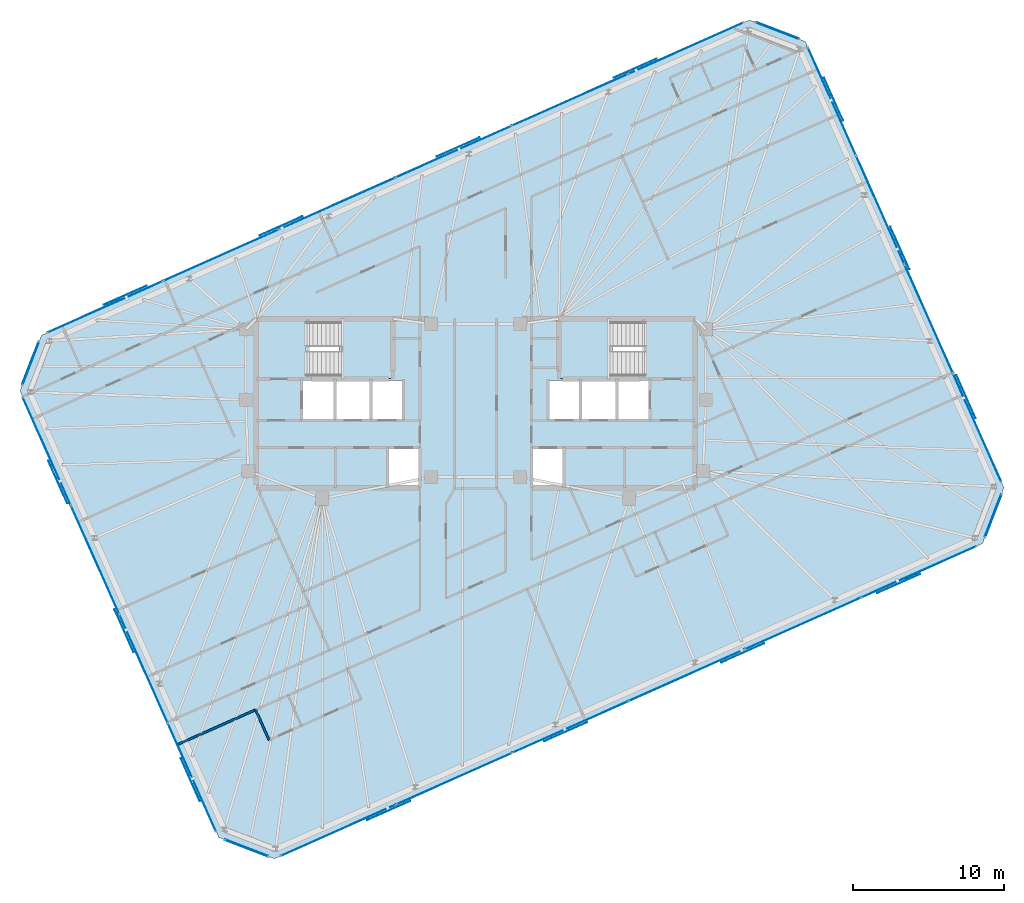
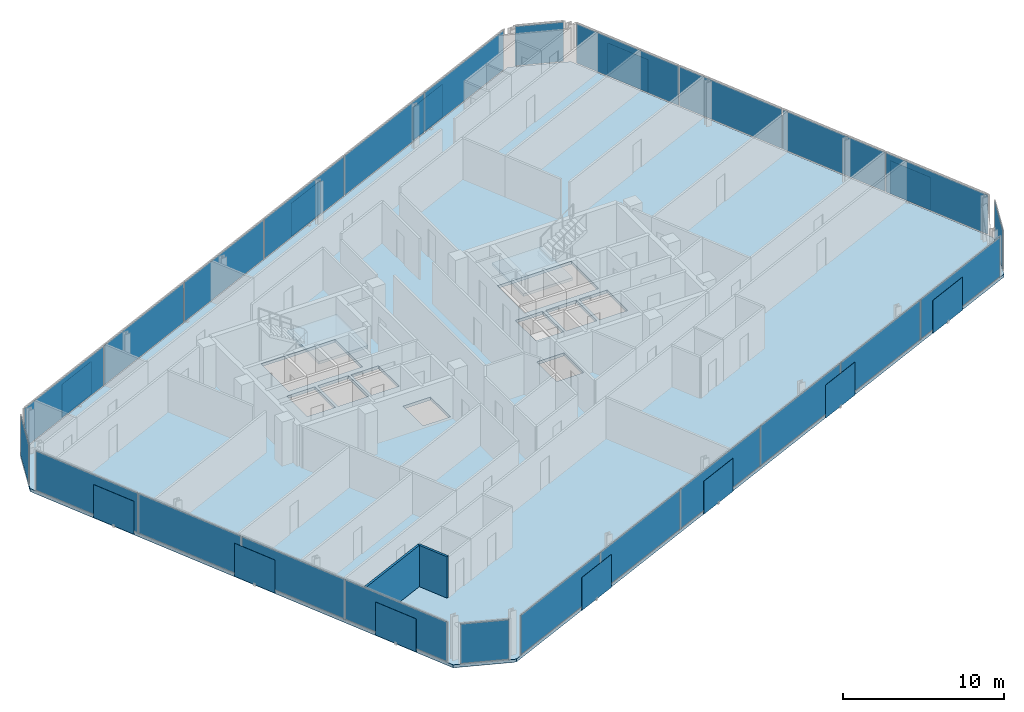
# One storey, part 12 of 18: 38 plates, 3 slabs, 2 walls, 10 elements without a shape of their own.
"""IFC4 building model written with IfcOpenShell, lengths in metres."""

from ifc_helpers import new_model, si_unit, direction, frame, frame_2d, origin, origin_2d, place, context, subcontext, project, spatial, polyline, rectangle, outline, extrude, material, layer, layer_set, type_object, element, aggregate, save


model = new_model("IFC4")

# Units and contexts
model_context = context("Model", 3, precision=1e-05, world=origin(), true_north=direction((0.0, 1.0)))
body_context = subcontext(model_context, "Body", "Model", "MODEL_VIEW")
ifc_project = project(units=[si_unit("LENGTHUNIT", "METRE"), si_unit("AREAUNIT", "SQUARE_METRE"), si_unit("VOLUMEUNIT", "CUBIC_METRE"), si_unit("PLANEANGLEUNIT", "RADIAN"), si_unit("MASSUNIT", "GRAM", prefix="KILO")], contexts=[model_context])

# Site, building, storey
site_placement = place(None, origin())
site = spatial("IfcSite", under=ifc_project, at=site_placement, CompositionType="ELEMENT")
building_placement = place(site_placement, origin())
building = spatial("IfcBuilding", under=site, at=building_placement, Name="Menara Jurai Vektor", CompositionType="ELEMENT")
storey_placement = place(building_placement, frame((0.0, 0.0, 258.85009765625)))
storey = spatial("IfcBuildingStorey", under=building, at=storey_placement, Name="L69", CompositionType="ELEMENT", Elevation=258.85009765625)

# Curtain wall, plates
ifc_material_1 = material(Name="Anodised Pale Aluminium & Low-E Double Glazing", Category="aluminium")
curtain_wall_type = type_object("IfcCurtainWallType", Name="CW-BLK5", PredefinedType="NOTDEFINED", material=ifc_material_1)
curtain_wall_1_placement = place(storey_placement, origin())
curtain_wall_1 = element("IfcCurtainWall", 1, at=curtain_wall_1_placement, inside=storey, type_object=curtain_wall_type, Name="Unitised Curtain Wall L69 F01", PredefinedType="NOTDEFINED")
ifc_material_2 = material(Name="Low-E Solar-Control Double Glazed Unit", Category="glass")
ifc_layer_1 = layer(ifc_material_2, 0.028076171875)
ifc_layer_set_1 = layer_set([ifc_layer_1], Name="Low-E Solar-Control Double Glazed Unit")
plate_type_1 = type_object("IfcPlateType", Name="CW-BLK5-PNL", PredefinedType="CURTAIN_PANEL", material=ifc_layer_set_1)
plate_1_placement = place(storey_placement, frame((-9.130615234375, -28.331787109375, 0.074951171875), z_axis=(0.0, 0.0, 1.0), x_axis=(0.913545967158, 0.406735498684, 0.0)))
plate_1 = element("IfcPlate", 2, at=plate_1_placement, type_object=plate_type_1, Name="CW-05 panel 1.1", PredefinedType="CURTAIN_PANEL", context=body_context, shape_type="SweptSolid", body=[
    extrude(rectangle(XDim=8.327392578125, YDim=0.028076171875, at=origin_2d()), origin(), (0.0, 0.0, 1.0), 2.97509765625),
])
plate_2_placement = place(storey_placement, frame((-1.4375, -24.90673828125, 0.074951171875), z_axis=(0.0, 0.0, 1.0), x_axis=(0.913545967158, 0.406735498684, 0.0)))
plate_2 = element("IfcPlate", 3, at=plate_2_placement, type_object=plate_type_1, Name="CW-05 panel 2.1", PredefinedType="CURTAIN_PANEL", context=body_context, shape_type="SweptSolid", body=[
    extrude(rectangle(XDim=8.364990234375, YDim=0.028076171875, at=origin_2d()), origin(), (0.0, 0.0, 1.0), 2.97509765625),
])
plate_3_placement = place(storey_placement, frame((6.27294921875, -21.473876953125, 0.074951171875), z_axis=(0.0, 0.0, 1.0), x_axis=(0.913545967158, 0.406735498684, 0.0)))
plate_3 = element("IfcPlate", 4, at=plate_3_placement, type_object=plate_type_1, Name="CW-05 panel 3.1", PredefinedType="CURTAIN_PANEL", context=body_context, shape_type="SweptSolid", body=[
    extrude(rectangle(XDim=8.364990234375, YDim=0.028076171875, at=origin_2d()), origin(), (0.0, 0.0, 1.0), 2.97509765625),
])
plate_4_placement = place(storey_placement, frame((13.983154296875, -18.041015625, 0.074951171875), z_axis=(0.0, 0.0, 1.0), x_axis=(0.913545967158, 0.406735498684, 0.0)))
plate_4 = element("IfcPlate", 5, at=plate_4_placement, type_object=plate_type_1, Name="CW-05 panel 4.1", PredefinedType="CURTAIN_PANEL", context=body_context, shape_type="SweptSolid", body=[
    extrude(rectangle(XDim=8.364990234375, YDim=0.028076171875, at=origin_2d()), origin(), (0.0, 0.0, 1.0), 2.97509765625),
])
plate_5_placement = place(storey_placement, frame((21.693603515625, -14.608154296875, 0.074951171875), z_axis=(0.0, 0.0, 1.0), x_axis=(0.913545967158, 0.406735498684, 0.0)))
plate_5 = element("IfcPlate", 6, at=plate_5_placement, type_object=plate_type_1, Name="CW-05 panel 5.1", PredefinedType="CURTAIN_PANEL", context=body_context, shape_type="SweptSolid", body=[
    extrude(rectangle(XDim=8.364990234375, YDim=0.028076171875, at=origin_2d()), origin(), (0.0, 0.0, 1.0), 2.97509765625),
])
plate_6_placement = place(storey_placement, frame((29.38671875, -11.182861328125, 0.074951171875), z_axis=(0.0, 0.0, 1.0), x_axis=(0.913545967158, 0.406735498684, 0.0)))
plate_6 = element("IfcPlate", 7, at=plate_6_placement, type_object=plate_type_1, Name="CW-05 panel 6.1", PredefinedType="CURTAIN_PANEL", context=body_context, shape_type="SweptSolid", body=[
    extrude(rectangle(XDim=8.327392578125, YDim=0.028076171875, at=origin_2d()), origin(), (0.0, 0.0, 1.0), 2.97509765625),
])
aggregate(curtain_wall_1, [plate_1, plate_2, plate_3, plate_4, plate_5, plate_6])

curtain_wall_2_placement = place(storey_placement, origin())
curtain_wall_2 = element("IfcCurtainWall", 8, at=curtain_wall_2_placement, inside=storey, type_object=curtain_wall_type, Name="Unitised Curtain Wall L69 F03", PredefinedType="NOTDEFINED")
plate_7_placement = place(storey_placement, frame((33.25439453125, -1.630126953125, 0.074951171875), z_axis=(0.0, 0.0, 1.0), x_axis=(-0.406735138086, 0.913546127706, 0.0)))
plate_7 = element("IfcPlate", 9, at=plate_7_placement, type_object=plate_type_1, Name="CW-05 panel 1.1", PredefinedType="CURTAIN_PANEL", context=body_context, shape_type="SweptSolid", body=[
    extrude(rectangle(XDim=7.797607421875, YDim=0.028076171875, at=origin_2d()), origin(), (0.0, 0.0, 1.0), 2.97509765625),
])
plate_8_placement = place(storey_placement, frame((30.044677734375, 5.578857421875, 0.074951171875), z_axis=(0.0, 0.0, 1.0), x_axis=(-0.406735138086, 0.913546127706, 0.0)))
plate_8 = element("IfcPlate", 10, at=plate_8_placement, type_object=plate_type_1, Name="CW-05 panel 2.1", PredefinedType="CURTAIN_PANEL", context=body_context, shape_type="SweptSolid", body=[
    extrude(rectangle(XDim=7.8349609375, YDim=0.028076171875, at=origin_2d()), origin(), (0.0, 0.0, 1.0), 2.97509765625),
])
plate_9_placement = place(storey_placement, frame((26.827392578125, 12.80517578125, 0.074951171875), z_axis=(0.0, 0.0, 1.0), x_axis=(-0.406735138086, 0.913546127706, 0.0)))
plate_9 = element("IfcPlate", 11, at=plate_9_placement, type_object=plate_type_1, Name="CW-05 panel 3.1", PredefinedType="CURTAIN_PANEL", context=body_context, shape_type="SweptSolid", body=[
    extrude(rectangle(XDim=7.8349609375, YDim=0.028076171875, at=origin_2d()), origin(), (0.0, 0.0, 1.0), 2.97509765625),
])
plate_10_placement = place(storey_placement, frame((23.61767578125, 20.01416015625, 0.074951171875), z_axis=(0.0, 0.0, 1.0), x_axis=(-0.406735138086, 0.913546127706, 0.0)))
plate_10 = element("IfcPlate", 12, at=plate_10_placement, type_object=plate_type_1, Name="CW-05 panel 4.1", PredefinedType="CURTAIN_PANEL", context=body_context, shape_type="SweptSolid", body=[
    extrude(rectangle(XDim=7.797607421875, YDim=0.028076171875, at=origin_2d()), origin(), (0.0, 0.0, 1.0), 2.97509765625),
])
aggregate(curtain_wall_2, [plate_7, plate_8, plate_9, plate_10])

curtain_wall_3_placement = place(storey_placement, origin())
curtain_wall_3 = element("IfcCurtainWall", 13, at=curtain_wall_3_placement, inside=storey, type_object=curtain_wall_type, Name="Unitised Curtain Wall L69 F05", PredefinedType="NOTDEFINED")
plate_11_placement = place(storey_placement, frame((13.9306640625, 23.53173828125, 0.074951171875), z_axis=(0.0, 0.0, 1.0), x_axis=(-0.913545967158, -0.406735498684, 0.0)))
plate_11 = element("IfcPlate", 14, at=plate_11_placement, type_object=plate_type_1, Name="CW-05 panel 1.1", PredefinedType="CURTAIN_PANEL", context=body_context, shape_type="SweptSolid", body=[
    extrude(rectangle(XDim=8.327392578125, YDim=0.028076171875, at=origin_2d()), origin(), (0.0, 0.0, 1.0), 2.97509765625),
])
plate_12_placement = place(storey_placement, frame((6.237548828125, 20.106689453125, 0.074951171875), z_axis=(0.0, 0.0, 1.0), x_axis=(-0.913545967158, -0.406735498684, 0.0)))
plate_12 = element("IfcPlate", 15, at=plate_12_placement, type_object=plate_type_1, Name="CW-05 panel 2.1", PredefinedType="CURTAIN_PANEL", context=body_context, shape_type="SweptSolid", body=[
    extrude(rectangle(XDim=8.364990234375, YDim=0.028076171875, at=origin_2d()), origin(), (0.0, 0.0, 1.0), 2.97509765625),
])
plate_13_placement = place(storey_placement, frame((-1.472900390625, 16.673828125, 0.074951171875), z_axis=(0.0, 0.0, 1.0), x_axis=(-0.913545967158, -0.406735498684, 0.0)))
plate_13 = element("IfcPlate", 16, at=plate_13_placement, type_object=plate_type_1, Name="CW-05 panel 3.1", PredefinedType="CURTAIN_PANEL", context=body_context, shape_type="SweptSolid", body=[
    extrude(rectangle(XDim=8.364990234375, YDim=0.028076171875, at=origin_2d()), origin(), (0.0, 0.0, 1.0), 2.97509765625),
])
plate_14_placement = place(storey_placement, frame((-9.18310546875, 13.240966796875, 0.074951171875), z_axis=(0.0, 0.0, 1.0), x_axis=(-0.913545967158, -0.406735498684, 0.0)))
plate_14 = element("IfcPlate", 17, at=plate_14_placement, type_object=plate_type_1, Name="CW-05 panel 4.1", PredefinedType="CURTAIN_PANEL", context=body_context, shape_type="SweptSolid", body=[
    extrude(rectangle(XDim=8.364990234375, YDim=0.028076171875, at=origin_2d()), origin(), (0.0, 0.0, 1.0), 2.97509765625),
])
plate_15_placement = place(storey_placement, frame((-16.8935546875, 9.80810546875, 0.074951171875), z_axis=(0.0, 0.0, 1.0), x_axis=(-0.913545967158, -0.406735498684, 0.0)))
plate_15 = element("IfcPlate", 18, at=plate_15_placement, type_object=plate_type_1, Name="CW-05 panel 5.1", PredefinedType="CURTAIN_PANEL", context=body_context, shape_type="SweptSolid", body=[
    extrude(rectangle(XDim=8.364990234375, YDim=0.028076171875, at=origin_2d()), origin(), (0.0, 0.0, 1.0), 2.97509765625),
])
plate_16_placement = place(storey_placement, frame((-24.586669921875, 6.3828125, 0.074951171875), z_axis=(0.0, 0.0, 1.0), x_axis=(-0.913545967158, -0.406735498684, 0.0)))
plate_16 = element("IfcPlate", 19, at=plate_16_placement, type_object=plate_type_1, Name="CW-05 panel 6.1", PredefinedType="CURTAIN_PANEL", context=body_context, shape_type="SweptSolid", body=[
    extrude(rectangle(XDim=8.327392578125, YDim=0.028076171875, at=origin_2d()), origin(), (0.0, 0.0, 1.0), 2.97509765625),
])
aggregate(curtain_wall_3, [plate_11, plate_12, plate_13, plate_14, plate_15, plate_16])

curtain_wall_4_placement = place(storey_placement, origin())
curtain_wall_4 = element("IfcCurtainWall", 20, at=curtain_wall_4_placement, inside=storey, type_object=curtain_wall_type, Name="Unitised Curtain Wall L69 F07", PredefinedType="NOTDEFINED")
plate_17_placement = place(storey_placement, frame((-28.454345703125, -3.169921875, 0.074951171875), z_axis=(0.0, 0.0, 1.0), x_axis=(0.406735138086, -0.913546127706, 0.0)))
plate_17 = element("IfcPlate", 21, at=plate_17_placement, type_object=plate_type_1, Name="CW-05 panel 1.1", PredefinedType="CURTAIN_PANEL", context=body_context, shape_type="SweptSolid", body=[
    extrude(rectangle(XDim=7.797607421875, YDim=0.028076171875, at=origin_2d()), origin(), (0.0, 0.0, 1.0), 2.97509765625),
])
plate_18_placement = place(storey_placement, frame((-25.24462890625, -10.37890625, 0.074951171875), z_axis=(0.0, 0.0, 1.0), x_axis=(0.406735138086, -0.913546127706, 0.0)))
plate_18 = element("IfcPlate", 22, at=plate_18_placement, type_object=plate_type_1, Name="CW-05 panel 2.1", PredefinedType="CURTAIN_PANEL", context=body_context, shape_type="SweptSolid", body=[
    extrude(rectangle(XDim=7.8349609375, YDim=0.028076171875, at=origin_2d()), origin(), (0.0, 0.0, 1.0), 2.97509765625),
])
plate_19_placement = place(storey_placement, frame((-22.02734375, -17.60498046875, 0.074951171875), z_axis=(0.0, 0.0, 1.0), x_axis=(0.406735138086, -0.913546127706, 0.0)))
plate_19 = element("IfcPlate", 23, at=plate_19_placement, type_object=plate_type_1, Name="CW-05 panel 3.1", PredefinedType="CURTAIN_PANEL", context=body_context, shape_type="SweptSolid", body=[
    extrude(rectangle(XDim=7.8349609375, YDim=0.028076171875, at=origin_2d()), origin(), (0.0, 0.0, 1.0), 2.97509765625),
])
plate_20_placement = place(storey_placement, frame((-18.81787109375, -24.814208984375, 0.074951171875), z_axis=(0.0, 0.0, 1.0), x_axis=(0.406735138086, -0.913546127706, 0.0)))
plate_20 = element("IfcPlate", 24, at=plate_20_placement, type_object=plate_type_1, Name="CW-05 panel 4.1", PredefinedType="CURTAIN_PANEL", context=body_context, shape_type="SweptSolid", body=[
    extrude(rectangle(XDim=7.797607421875, YDim=0.028076171875, at=origin_2d()), origin(), (0.0, 0.0, 1.0), 2.97509765625),
])
aggregate(curtain_wall_4, [plate_17, plate_18, plate_19, plate_20])

# Curtain wall, plate
curtain_wall_5_placement = place(storey_placement, origin())
curtain_wall_5 = element("IfcCurtainWall", 25, at=curtain_wall_5_placement, inside=storey, type_object=curtain_wall_type, Name="Unitised Curtain Wall L69 F02", PredefinedType="NOTDEFINED")
ifc_material_3 = material(Name="Insulated Pale Aluminium Spandrel Panel", Category="aluminium")
ifc_layer_2 = layer(ifc_material_3, 0.06005859375)
ifc_layer_set_2 = layer_set([ifc_layer_2], Name="Insulated Pale Aluminium Spandrel Panel")
plate_type_2 = type_object("IfcPlateType", Name="CW-PNL-SP", PredefinedType="CURTAIN_PANEL", material=ifc_layer_set_2)
plate_21_placement = place(storey_placement, frame((34.315673828125, -7.455810546875, 0.074951171875), z_axis=(0.0, 0.0, 1.0), x_axis=(0.358373766287, 0.933578193639, 0.0)))
plate_21 = element("IfcPlate", 26, at=plate_21_placement, type_object=plate_type_2, Name="CW-05 panel 1.1", PredefinedType="CURTAIN_PANEL", context=body_context, shape_type="SweptSolid", body=[
    extrude(rectangle(XDim=3.0498046875, YDim=0.06005859375, at=origin_2d()), origin(), (0.0, 0.0, 1.0), 2.97509765625),
])
aggregate(curtain_wall_5, [plate_21])

curtain_wall_6_placement = place(storey_placement, origin())
curtain_wall_6 = element("IfcCurtainWall", 27, at=curtain_wall_6_placement, inside=storey, type_object=curtain_wall_type, Name="Unitised Curtain Wall L69 F04", PredefinedType="NOTDEFINED")
plate_22_placement = place(storey_placement, frame((19.99853515625, 24.700927734375, 0.074951171875), z_axis=(0.0, 0.0, 1.0), x_axis=(-0.933578193639, 0.358373766287, 0.0)))
plate_22 = element("IfcPlate", 28, at=plate_22_placement, type_object=plate_type_2, Name="CW-05 panel 1.1", PredefinedType="CURTAIN_PANEL", context=body_context, shape_type="SweptSolid", body=[
    extrude(rectangle(XDim=3.0498046875, YDim=0.06005859375, at=origin_2d()), origin(), (0.0, 0.0, 1.0), 2.97509765625),
])
aggregate(curtain_wall_6, [plate_22])

curtain_wall_7_placement = place(storey_placement, origin())
curtain_wall_7 = element("IfcCurtainWall", 29, at=curtain_wall_7_placement, inside=storey, type_object=curtain_wall_type, Name="Unitised Curtain Wall L69 F06", PredefinedType="NOTDEFINED")
plate_23_placement = place(storey_placement, frame((-29.515625, 2.65576171875, 0.074951171875), z_axis=(0.0, 0.0, 1.0), x_axis=(-0.358373766287, -0.933578193639, 0.0)))
plate_23 = element("IfcPlate", 30, at=plate_23_placement, type_object=plate_type_2, Name="CW-05 panel 1.1", PredefinedType="CURTAIN_PANEL", context=body_context, shape_type="SweptSolid", body=[
    extrude(rectangle(XDim=3.0498046875, YDim=0.06005859375, at=origin_2d()), origin(), (0.0, 0.0, 1.0), 2.97509765625),
])
aggregate(curtain_wall_7, [plate_23])

curtain_wall_8_placement = place(storey_placement, origin())
curtain_wall_8 = element("IfcCurtainWall", 31, at=curtain_wall_8_placement, inside=storey, type_object=curtain_wall_type, Name="Unitised Curtain Wall L69 F08", PredefinedType="NOTDEFINED")
plate_24_placement = place(storey_placement, frame((-15.198486328125, -29.5009765625, 0.074951171875), z_axis=(0.0, 0.0, 1.0), x_axis=(0.933578193639, -0.358373766287, 0.0)))
plate_24 = element("IfcPlate", 32, at=plate_24_placement, type_object=plate_type_2, Name="CW-05 panel 1.1", PredefinedType="CURTAIN_PANEL", context=body_context, shape_type="SweptSolid", body=[
    extrude(rectangle(XDim=3.0498046875, YDim=0.06005859375, at=origin_2d()), origin(), (0.0, 0.0, 1.0), 2.97509765625),
])
aggregate(curtain_wall_8, [plate_24])

# Plates
ifc_material_4 = material(Name="Anodised Pale Aluminium Perforated Screen", Category="aluminium")
ifc_layer_3 = layer(ifc_material_4, 0.02197265625)
ifc_layer_set_3 = layer_set([ifc_layer_3], Name="Anodised Pale Aluminium Perforated Screen")
plate_type_3 = type_object("IfcPlateType", Name="ENV-PLT-SCREEN-HI", PredefinedType="USERDEFINED", material=ifc_layer_set_3)
for number, where, z_axis, x_axis, name in (
    (33, (-5.77197265625, -27.01171875, -0.050048828125), (0.0, 0.0, 1.0), (0.913545457643, 0.406736643076, 0.0), "Perforated Pale-Metal Solar Screen L69-S01"),
    (34, (5.967041015625, -21.78515625, -0.050048828125), (0.0, 0.0, 1.0), (0.913545457643, 0.406736643076, 0.0), "Perforated Pale-Metal Solar Screen L69-S02"),
    (35, (17.7060546875, -16.55859375, -0.050048828125), (0.0, 0.0, 1.0), (0.913545457643, 0.406736643076, 0.0), "Perforated Pale-Metal Solar Screen L69-S03"),
    (36, (28.036376953125, -11.958984375, -0.050048828125), (0.0, 0.0, 1.0), (0.913545457643, 0.406736643076, 0.0), "Perforated Pale-Metal Solar Screen L69-S04"),
    (37, (32.513671875, 0.4267578125, -0.050048828125), (0.0, 0.0, 1.0), (-0.406736643076, 0.913545457643, 0.0), "Perforated Pale-Metal Solar Screen L69-S05"),
    (38, (28.12109375, 10.29296875, -0.050048828125), (0.0, 0.0, 1.0), (-0.406736643076, 0.913545457643, 0.0), "Perforated Pale-Metal Solar Screen L69-S06"),
    (39, (23.728271484375, 20.1591796875, -0.050048828125), (0.0, 0.0, 1.0), (-0.406736643076, 0.913545457643, 0.0), "Perforated Pale-Metal Solar Screen L69-S07"),
    (40, (10.572021484375, 22.211669921875, -0.050048828125), (0.0, 0.0, 1.0), (-0.913545457643, -0.406736643076, 0.0), "Perforated Pale-Metal Solar Screen L69-S08"),
    (41, (-1.1669921875, 16.985107421875, -0.050048828125), (0.0, 0.0, 1.0), (-0.913545457643, -0.406736643076, 0.0), "Perforated Pale-Metal Solar Screen L69-S09"),
    (42, (-12.906005859375, 11.758544921875, -0.050048828125), (0.0, 0.0, 1.0), (-0.913545457643, -0.406736643076, 0.0), "Perforated Pale-Metal Solar Screen L69-S10"),
    (43, (-23.236328125, 7.1591796875, -0.050048828125), (0.0, 0.0, 1.0), (-0.913545457643, -0.406736643076, 0.0), "Perforated Pale-Metal Solar Screen L69-S11"),
    (44, (-27.713623046875, -5.226806640625, -0.050048828125), (0.0, 0.0, 1.0), (0.406736643076, -0.913545457643, 0.0), "Perforated Pale-Metal Solar Screen L69-S12"),
    (45, (-23.321044921875, -15.093017578125, -0.050048828125), (0.0, 0.0, 1.0), (0.406736643076, -0.913545457643, 0.0), "Perforated Pale-Metal Solar Screen L69-S13"),
    (46, (-18.92822265625, -24.959228515625, -0.050048828125), (0.0, 0.0, 1.0), (0.406736643076, -0.913545457643, 0.0), "Perforated Pale-Metal Solar Screen L69-S14"),
):
    element("IfcPlate", number, at=place(storey_placement, frame(where, z_axis=z_axis, x_axis=x_axis)), inside=storey, type_object=plate_type_3, Name=name, ObjectType="SCREEN", PredefinedType="USERDEFINED", context=body_context, shape_type="SweptSolid", body=[
        extrude(rectangle(XDim=3.10009765625, YDim=0.02197265625, at=origin_2d()), origin(), (0.0, 0.0, 1.0), 2.5),
    ])

# Stair, slab
ifc_material_5 = material(Name="Concrete C40/50", Category="concrete")
stair_type = type_object("IfcStairType", Name="STAIR-DOGLEG-1500", PredefinedType="HALF_TURN_STAIR", material=ifc_material_5)
stair_1_placement = place(storey_placement, origin())
stair_1 = element("IfcStair", 47, at=stair_1_placement, inside=storey, type_object=stair_type, Name="Protected Exit Stair ST1 L69", PredefinedType="HALF_TURN_STAIR")
ifc_layer_4 = layer(ifc_material_5, 0.199951171875)
ifc_layer_set_4 = layer_set([ifc_layer_4], Name="Concrete C40/50")
slab_type_1 = type_object("IfcSlabType", Name="STAIR-LANDING-200", PredefinedType="LANDING", material=ifc_layer_set_4)
slab_1_placement = place(storey_placement, frame((0.0, 0.0, 1.474853515625)))
slab_1 = element("IfcSlab", 48, at=slab_1_placement, type_object=slab_type_1, Name="ST1 landing 1", PredefinedType="LANDING", context=body_context, shape_type="SweptSolid", body=[
    extrude(outline(polyline([(-9.080078125, 1.64990234375), (-5.550048828125, 1.64990234375), (-5.550048828125, 5.550048828125), (-9.080078125, 5.550048828125), (-9.080078125, 1.64990234375)])), origin(), (0.0, 0.0, 1.0), 0.199951171875),
])
aggregate(stair_1, [slab_1])

stair_2_placement = place(storey_placement, origin())
stair_2 = element("IfcStair", 49, at=stair_2_placement, inside=storey, type_object=stair_type, Name="Protected Exit Stair ST2 L69", PredefinedType="HALF_TURN_STAIR")
slab_2_placement = place(storey_placement, frame((0.0, 0.0, 1.474853515625)))
slab_2 = element("IfcSlab", 50, at=slab_2_placement, type_object=slab_type_1, Name="ST2 landing 1", PredefinedType="LANDING", context=body_context, shape_type="SweptSolid", body=[
    extrude(outline(polyline([(5.550048828125, 1.64990234375), (9.080078125, 1.64990234375), (9.080078125, 5.550048828125), (5.550048828125, 5.550048828125), (5.550048828125, 1.64990234375)])), origin(), (0.0, 0.0, 1.0), 0.199951171875),
])
aggregate(stair_2, [slab_2])

# Slab
ifc_layer_5 = layer(ifc_material_5, 0.22509765625)
ifc_layer_set_5 = layer_set([ifc_layer_5], Name="Concrete C40/50")
slab_type_2 = type_object("IfcSlabType", Name="STR-SLAB-TYP200", PredefinedType="FLOOR", material=ifc_layer_set_5)
slab_3_placement = place(storey_placement, frame((0.0, 0.0, -0.22509765625)))
element("IfcSlab", 51, at=slab_3_placement, inside=storey, type_object=slab_type_2, Name="Composite Floor Slab L69", PredefinedType="FLOOR", context=body_context, shape_type="SweptSolid", body=[
    extrude(outline(polyline([(-13.35009765625, -30.21044921875), (33.606201171875, -9.30419921875), (35.025146484375, -5.607421875), (21.846923828125, 23.991455078125), (18.150146484375, 25.410400390625), (-28.80615234375, 4.504150390625), (-30.22509765625, 0.807373046875), (-17.046875, -28.79150390625), (-13.35009765625, -30.21044921875)]), holes=[polyline([(-11.10009765625, 1.89990234375), (-11.10009765625, 5.300048828125), (-5.800048828125, 5.300048828125), (-5.800048828125, 1.89990234375), (-11.10009765625, 1.89990234375)]), polyline([(5.800048828125, 1.89990234375), (5.800048828125, 5.300048828125), (11.10009765625, 5.300048828125), (11.10009765625, 1.89990234375), (5.800048828125, 1.89990234375)]), polyline([(-11.449951171875, -1.050048828125), (-11.449951171875, 1.5), (-9.449951171875, 1.5), (-9.449951171875, -1.050048828125), (-11.449951171875, -1.050048828125)]), polyline([(9.449951171875, -1.050048828125), (9.449951171875, 1.5), (11.449951171875, 1.5), (11.449951171875, -1.050048828125), (9.449951171875, -1.050048828125)]), polyline([(-5.760009765625, -5.5), (-5.760009765625, -3.050048828125), (-3.800048828125, -3.050048828125), (-3.800048828125, -5.5), (-5.760009765625, -5.5)]), polyline([(-6.85009765625, -1.050048828125), (-6.85009765625, 1.5), (-4.889892578125, 1.5), (-4.889892578125, -1.050048828125), (-6.85009765625, -1.050048828125)]), polyline([(3.800048828125, -5.5), (3.800048828125, -3.050048828125), (5.760009765625, -3.050048828125), (5.760009765625, -5.5), (3.800048828125, -5.5)]), polyline([(4.889892578125, -1.050048828125), (4.889892578125, 1.5), (6.85009765625, 1.5), (6.85009765625, -1.050048828125), (4.889892578125, -1.050048828125)]), polyline([(-9.25, -1.050048828125), (-9.25, 1.5), (-7.050048828125, 1.5), (-7.050048828125, -1.050048828125), (-9.25, -1.050048828125)]), polyline([(7.050048828125, -1.050048828125), (7.050048828125, 1.5), (9.25, 1.5), (9.25, -1.050048828125), (7.050048828125, -1.050048828125)])]), origin(), (0.0, 0.0, 1.0), 0.22509765625),
])

# Walls
ifc_material_6 = material(Name="Gypsum Fireboard Partition", Category="gypsum")
ifc_layer_6 = layer(ifc_material_6, 0.14990234375)
ifc_layer_set_6 = layer_set([ifc_layer_6], Name="Gypsum Fireboard Partition")
wall_type = type_object("IfcWallType", Name="INT-WALL-CORR-150", PredefinedType="PARTITIONING", material=ifc_layer_set_6)
wall_1_placement = place(storey_placement, frame((-19.786376953125, -22.638671875, 0.0), z_axis=(0.0, 0.0, 1.0), x_axis=(0.913559465571, 0.406705179295, 0.0)))
element("IfcWall", 52, at=wall_1_placement, inside=storey, type_object=wall_type, Name="Interior Wall IW-150 L69", PredefinedType="PARTITIONING", context=body_context, shape_type="SweptSolid", body=[
    extrude(rectangle(XDim=5.675048828125, YDim=0.14990234375, at=frame_2d((2.83740234375, 0.0))), origin(), (0.0, 0.0, 1.0), 3.125),
])
wall_2_placement = place(storey_placement, frame((-13.70703125, -22.34033203125, 0.0), z_axis=(0.0, 0.0, 1.0), x_axis=(-0.406725294076, 0.913550510459, 0.0)))
element("IfcWall", 53, at=wall_2_placement, inside=storey, type_object=wall_type, Name="Interior Wall IW-150 L69", PredefinedType="PARTITIONING", context=body_context, shape_type="SweptSolid", body=[
    extrude(rectangle(XDim=2.199951171875, YDim=0.14990234375, at=frame_2d((1.10009765625, 0.0))), origin(), (0.0, 0.0, 1.0), 3.125),
])

save(model, "model.ifc")
